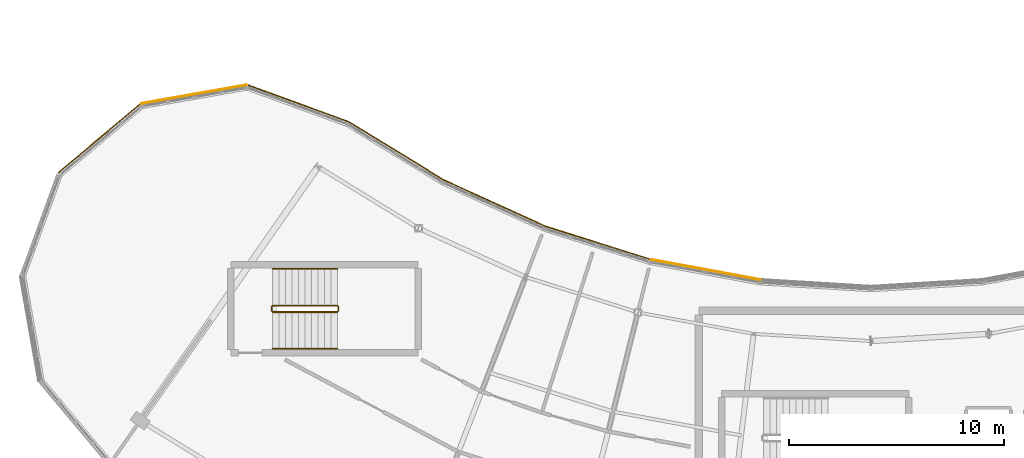
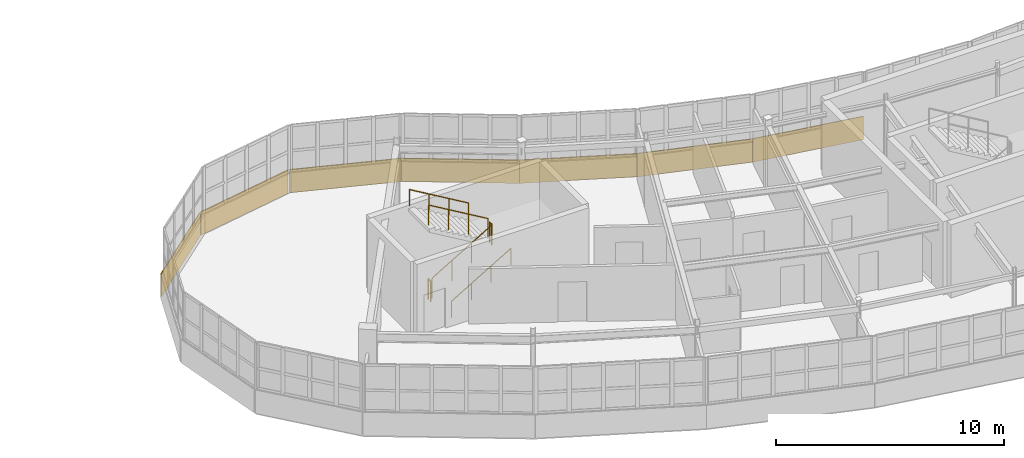
# One storey, part 73 of 79: 7 coverings, 6 railings.
"""IFC4 building model written with IfcOpenShell, lengths in metres."""

from ifc_helpers import new_model, si_unit, direction, frame, origin, origin_2d, place, context, subcontext, project, spatial, rectangle, circle, extrude, material, layer, layer_set, type_object, element, save


model = new_model("IFC4")

# Units and contexts
model_context = context("Model", 3, precision=1e-05, world=origin(), true_north=direction((0.0, 1.0)))
body_context = subcontext(model_context, "Body", "Model", "MODEL_VIEW")
ifc_project = project(units=[si_unit("LENGTHUNIT", "METRE"), si_unit("AREAUNIT", "SQUARE_METRE"), si_unit("VOLUMEUNIT", "CUBIC_METRE"), si_unit("PLANEANGLEUNIT", "RADIAN"), si_unit("MASSUNIT", "GRAM", prefix="KILO")], contexts=[model_context])

# Site, building, storey
site_placement = place(None, origin())
site = spatial("IfcSite", under=ifc_project, at=site_placement, CompositionType="ELEMENT")
building_placement = place(site_placement, origin())
building = spatial("IfcBuilding", under=site, at=building_placement, Name="Tarnwether General Hospital", CompositionType="ELEMENT")
storey_placement = place(building_placement, frame((0.0, 0.0, 18.300048828125)))
storey = spatial("IfcBuildingStorey", under=building, at=storey_placement, Name="L04", CompositionType="ELEMENT", Elevation=18.300048828125)

# Coverings
ifc_material_1 = material(Name="Streamlined white enamelled aluminium", Category="aluminium")
ifc_layer = layer(ifc_material_1, 0.044921875)
ifc_layer_set = layer_set([ifc_layer], Name="Streamlined white enamelled aluminium")
covering_type = type_object("IfcCoveringType", Name="CV-CLD-WHT", PredefinedType="CLADDING", material=ifc_layer_set)
covering_1_placement = place(storey_placement, frame((84.31201171875, 21.51708984375, -0.175048828125), z_axis=(0.0, 0.0, 1.0), x_axis=(0.983267627608, -0.182166880906, 0.0)))
element("IfcCovering", 1, at=covering_1_placement, inside=storey, type_object=covering_type, Name="Streamlined White Horizontal Band SE L04 23", PredefinedType="CLADDING", context=body_context, shape_type="SweptSolid", body=[
    extrude(rectangle(XDim=5.177001953125, YDim=0.044921875, at=origin_2d()), origin(), (0.0, 0.0, 1.0), 1.25),
])
covering_2_placement = place(storey_placement, frame((79.31396484375, 22.762939453125, -0.175048828125), z_axis=(0.0, 0.0, 1.0), x_axis=(0.953711702297, -0.300722444959, 0.0)))
element("IfcCovering", 2, at=covering_2_placement, inside=storey, type_object=covering_type, Name="Streamlined White Horizontal Band SE L04 24", PredefinedType="CLADDING", context=body_context, shape_type="SweptSolid", body=[
    extrude(rectangle(XDim=5.177978515625, YDim=0.044921875, at=origin_2d()), origin(), (0.0, 0.0, 1.0), 1.25),
])
for number, where, z_axis, x_axis, name in (
    (3, (74.50390625, 24.610107421875, -0.175048828125), (0.0, 0.0, 1.0), (0.909954032975, -0.414709124413, 0.0), "Streamlined White Horizontal Band SE L04 25"),
    (4, (69.9560546875, 27.028076171875, -0.175048828125), (0.0, 0.0, 1.0), (0.852631044904, -0.522513446015, 0.0), "Streamlined White Horizontal Band SE L04 26"),
):
    element("IfcCovering", number, at=place(storey_placement, frame(where, z_axis=z_axis, x_axis=x_axis)), inside=storey, type_object=covering_type, Name=name, PredefinedType="CLADDING", context=body_context, shape_type="SweptSolid", body=[
        extrude(rectangle(XDim=5.177001953125, YDim=0.044921875, at=origin_2d()), origin(), (0.0, 0.0, 1.0), 1.25),
    ])
covering_3_placement = place(storey_placement, frame((65.39111328125, 29.241943359375, -0.175048828125), z_axis=(0.0, 0.0, 1.0), x_axis=(0.93965082813, -0.342134945884, 0.0)))
element("IfcCovering", 5, at=covering_3_placement, inside=storey, type_object=covering_type, Name="Streamlined White Horizontal Band SE L04 27", PredefinedType="CLADDING", context=body_context, shape_type="SweptSolid", body=[
    extrude(rectangle(XDim=4.968994140625, YDim=0.044921875, at=origin_2d()), origin(), (0.0, 0.0, 1.0), 1.25),
])
for number, where, z_axis, x_axis, name in (
    (6, (60.541015625, 29.666015625, -0.175048828125), (0.0, 0.0, 1.0), (0.98480472213, 0.173665365778, 0.0), "Streamlined White Horizontal Band SE L04 28"),
    (7, (56.12890625, 27.60888671875, -0.175048828125), (0.0, 0.0, 1.0), (0.765988346401, 0.642854457228, 0.0), "Streamlined White Horizontal Band SE L04 29"),
):
    element("IfcCovering", number, at=place(storey_placement, frame(where, z_axis=z_axis, x_axis=x_axis)), inside=storey, type_object=covering_type, Name=name, PredefinedType="CLADDING", context=body_context, shape_type="SweptSolid", body=[
        extrude(rectangle(XDim=4.969970703125, YDim=0.044921875, at=origin_2d()), origin(), (0.0, 0.0, 1.0), 1.25),
    ])

# Railings
ifc_material_2 = material(Name="Anodised aluminium", Category="aluminium")
railing_type_1 = type_object("IfcRailingType", Name="RL-GRD-INT", PredefinedType="GUARDRAIL", material=ifc_material_2)
railing_1_placement = place(storey_placement, frame((64.199951171875, 19.550048828125, 0.17724609375)))
element("IfcRailing", 8, at=railing_1_placement, inside=storey, type_object=railing_type_1, Name="L04 ST-09 stair guard 1", PredefinedType="GUARDRAIL", context=body_context, shape_type="SweptSolid", body=[
    extrude(circle(Radius=0.02392578125, at=origin_2d()), frame((0.0, 0.0, 1.076171875), z_axis=(0.86092931783, 0.0, 0.508724591208), x_axis=(0.0, 1.0, 0.0)), (0.0, 0.0, 1.0), 3.484619140625),
    extrude(circle(Radius=0.02099609375, at=origin_2d()), origin(), (0.0, 0.0, 1.0), 1.052001953125),
    extrude(circle(Radius=0.02099609375, at=origin_2d()), frame((1.0, 0.0, 0.5908203125)), (0.0, 0.0, 1.0), 1.052001953125),
    extrude(circle(Radius=0.02099609375, at=origin_2d()), frame((2.0, 0.0, 1.181884765625)), (0.0, 0.0, 1.0), 1.052001953125),
    extrude(circle(Radius=0.02099609375, at=origin_2d()), frame((3.0, 0.0, 1.772705078125)), (0.0, 0.0, 1.0), 1.052001953125),
])
railing_2_placement = place(storey_placement, frame((67.25, 19.60009765625, 1.949951171875)))
element("IfcRailing", 9, at=railing_2_placement, inside=storey, type_object=railing_type_1, Name="L04 ST-09 stair guard 2", PredefinedType="GUARDRAIL", context=body_context, shape_type="SweptSolid", body=[
    extrude(circle(Radius=0.02392578125, at=origin_2d()), frame((0.0, 0.0, 1.076171875), z_axis=(0.0, 1.0, 0.0), x_axis=(-1.0, 0.0, 0.0)), (0.0, 0.0, 1.0), 0.199951171875),
    extrude(circle(Radius=0.02099609375, at=origin_2d()), origin(), (0.0, 0.0, 1.0), 1.052001953125),
    extrude(circle(Radius=0.02099609375, at=origin_2d()), frame((0.0, 0.199951171875, 0.0)), (0.0, 0.0, 1.0), 1.052001953125),
])
railing_3_placement = place(storey_placement, frame((67.199951171875, 19.85009765625, 2.127197265625)))
element("IfcRailing", 10, at=railing_3_placement, inside=storey, type_object=railing_type_1, Name="L04 ST-09 stair guard 3", PredefinedType="GUARDRAIL", context=body_context, shape_type="SweptSolid", body=[
    extrude(circle(Radius=0.02392578125, at=origin_2d()), frame((0.0, 0.0, 1.076171875), z_axis=(-0.86092931783, 0.0, 0.508724591208), x_axis=(0.0, -1.0, 0.0)), (0.0, 0.0, 1.0), 3.484619140625),
    extrude(circle(Radius=0.02099609375, at=origin_2d()), origin(), (0.0, 0.0, 1.0), 1.052001953125),
    extrude(circle(Radius=0.02099609375, at=origin_2d()), frame((-1.0, 0.0, 0.5908203125)), (0.0, 0.0, 1.0), 1.052001953125),
    extrude(circle(Radius=0.02099609375, at=origin_2d()), frame((-2.0, 0.0, 1.181884765625)), (0.0, 0.0, 1.0), 1.052001953125),
    extrude(circle(Radius=0.02099609375, at=origin_2d()), frame((-3.0, 0.0, 1.772705078125)), (0.0, 0.0, 1.0), 1.052001953125),
])
railing_4_placement = place(storey_placement, frame((64.14990234375, 19.60009765625, 0.0)))
element("IfcRailing", 11, at=railing_4_placement, inside=storey, type_object=railing_type_1, Name="L04 ST-09 stair guard 4", PredefinedType="GUARDRAIL", context=body_context, shape_type="SweptSolid", body=[
    extrude(circle(Radius=0.02392578125, at=origin_2d()), frame((0.0, 0.0, 1.076171875), z_axis=(0.0, 1.0, 0.0), x_axis=(-1.0, 0.0, 0.0)), (0.0, 0.0, 1.0), 0.199951171875),
    extrude(circle(Radius=0.02099609375, at=origin_2d()), origin(), (0.0, 0.0, 1.0), 1.052001953125),
    extrude(circle(Radius=0.02099609375, at=origin_2d()), frame((0.0, 0.199951171875, 0.0)), (0.0, 0.0, 1.0), 1.052001953125),
])
ifc_material_3 = material(Name="Anodised aluminium", Category="aluminium")
railing_type_2 = type_object("IfcRailingType", Name="RL-HND-INT", PredefinedType="HANDRAIL", material=ifc_material_3)
railing_5_placement = place(storey_placement, frame((64.199951171875, 17.85009765625, 0.17724609375)))
element("IfcRailing", 12, at=railing_5_placement, inside=storey, type_object=railing_type_2, Name="L04 ST-09 stair handrail 1", PredefinedType="HANDRAIL", context=body_context, shape_type="SweptSolid", body=[
    extrude(circle(Radius=0.02392578125, at=origin_2d()), frame((0.0, 0.0, 0.8759765625), z_axis=(0.86092931783, 0.0, 0.508724591208), x_axis=(0.0, 1.0, 0.0)), (0.0, 0.0, 1.0), 3.484619140625),
    extrude(circle(Radius=0.02099609375, at=origin_2d()), origin(), (0.0, 0.0, 1.0), 0.851806640625),
    extrude(circle(Radius=0.02099609375, at=origin_2d()), frame((1.0, 0.0, 0.5908203125)), (0.0, 0.0, 1.0), 0.851806640625),
    extrude(circle(Radius=0.02099609375, at=origin_2d()), frame((2.0, 0.0, 1.181884765625)), (0.0, 0.0, 1.0), 0.851806640625),
    extrude(circle(Radius=0.02099609375, at=origin_2d()), frame((3.0, 0.0, 1.772705078125)), (0.0, 0.0, 1.0), 0.851806640625),
])
railing_6_placement = place(storey_placement, frame((67.199951171875, 21.550048828125, 2.127197265625)))
element("IfcRailing", 13, at=railing_6_placement, inside=storey, type_object=railing_type_2, Name="L04 ST-09 stair handrail 2", PredefinedType="HANDRAIL", context=body_context, shape_type="SweptSolid", body=[
    extrude(circle(Radius=0.02392578125, at=origin_2d()), frame((0.0, 0.0, 0.8759765625), z_axis=(-0.86092931783, 0.0, 0.508724591208), x_axis=(0.0, -1.0, 0.0)), (0.0, 0.0, 1.0), 3.484619140625),
    extrude(circle(Radius=0.02099609375, at=origin_2d()), origin(), (0.0, 0.0, 1.0), 0.851806640625),
    extrude(circle(Radius=0.02099609375, at=origin_2d()), frame((-1.0, 0.0, 0.5908203125)), (0.0, 0.0, 1.0), 0.851806640625),
    extrude(circle(Radius=0.02099609375, at=origin_2d()), frame((-2.0, 0.0, 1.181884765625)), (0.0, 0.0, 1.0), 0.851806640625),
    extrude(circle(Radius=0.02099609375, at=origin_2d()), frame((-3.0, 0.0, 1.772705078125)), (0.0, 0.0, 1.0), 0.851806640625),
])

save(model, "model.ifc")
